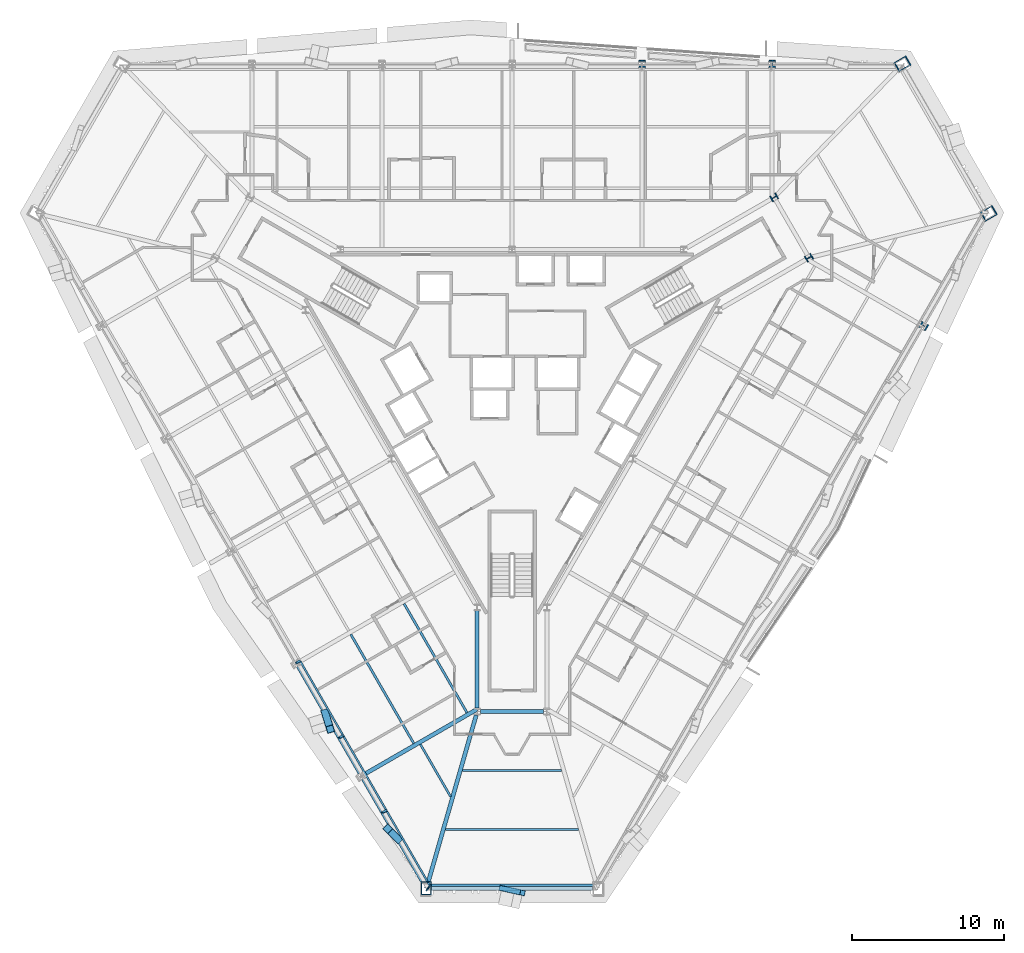
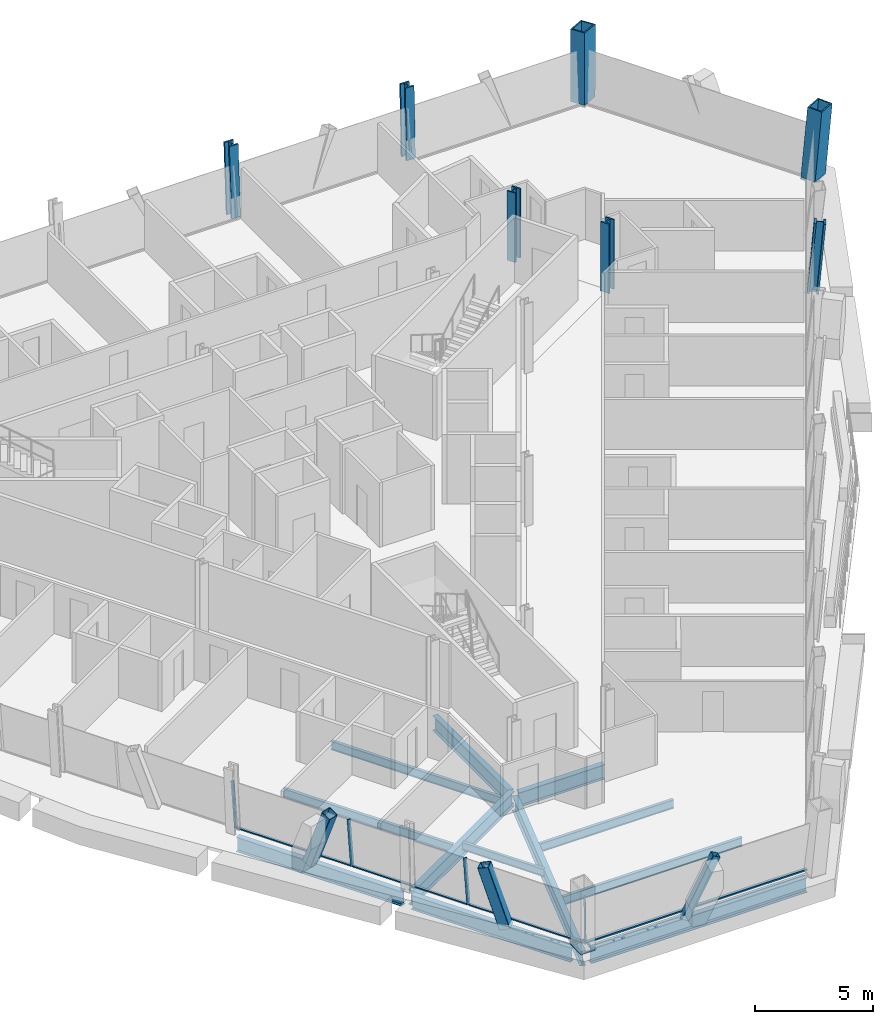
# One storey, part 2 of 15: 12 beams, 12 members, 7 columns, 2 elements without a shape of their own.
"""IFC4 building model written with IfcOpenShell, lengths in metres."""

import ifcopenshell
import ifcopenshell.guid

model = None  # the IFC model being written
_history = None  # IfcOwnerHistory: only IFC2X3 demands one
_inside = {}  # id of a spatial element -> (the spatial element, [elements in it])
_under = {}  # id of a project, library or spatial element -> (it, [spatial elements below it])
_declared = {}  # id of a project -> (the project, [libraries it declares])
_typed = {}  # id of a type object -> (the type object, [elements of that type])
_made_of = {}  # id of a material, layer set ... -> (it, [elements and type objects made of it])


def new_model(schema):
    """Start an empty IFC model of exactly this schema.

    Asked for "IFC4X3", IfcOpenShell would pick the latest addendum, in which some entities
    have other attributes; the version numbers below select the first issue.
    IFC2X3 requires an IfcOwnerHistory on every rooted entity: one is made here for all.
    """
    global model, _history
    if schema == "IFC4X3":
        model = ifcopenshell.file(schema_version=(4, 3, 0, 0))
    else:
        model = ifcopenshell.file(schema=schema)
    _inside.clear()
    _under.clear()
    _declared.clear()
    _typed.clear()
    _made_of.clear()
    _history = None
    if model.schema == "IFC2X3":
        org = make("IfcOrganization", Name="unknown")
        user = make(
            "IfcPersonAndOrganization",
            ThePerson=make("IfcPerson", FamilyName="unknown"),
            TheOrganization=org,
        )
        app = make(
            "IfcApplication",
            ApplicationDeveloper=org,
            Version="unknown",
            ApplicationFullName="unknown",
            ApplicationIdentifier="unknown",
        )
        _history = make(
            "IfcOwnerHistory",
            OwningUser=user,
            OwningApplication=app,
            ChangeAction="ADDED",
            CreationDate=0,
        )
    return model


def make(cls, **values):
    """One entity of the class cls with the attributes given. An attribute that is None is left unset."""
    return model.create_entity(
        cls, **{name: value for name, value in values.items() if value is not None}
    )


def rooted(cls, **values):
    """An entity with a GlobalId (a new one), such as an element, a storey or a relation."""
    return make(cls, GlobalId=ifcopenshell.guid.new(), OwnerHistory=_history, **values)


def si_unit(unit_type, name, prefix=None):
    """IfcSIUnit, for example si_unit("LENGTHUNIT", "METRE", prefix="MILLI")."""
    return make("IfcSIUnit", UnitType=unit_type, Prefix=prefix, Name=name)


def assignment(units):
    """IfcUnitAssignment: the units of a project."""
    return None if units is None else make("IfcUnitAssignment", Units=units)


def point(xyz):
    """IfcCartesianPoint."""
    return None if xyz is None else make("IfcCartesianPoint", Coordinates=xyz)


def direction(xyz):
    """IfcDirection."""
    return None if xyz is None else make("IfcDirection", DirectionRatios=xyz)


def frame(location, z_axis=None, x_axis=None):
    """IfcAxis2Placement3D, a coordinate frame: its origin and axes. An axis left out is left unset."""
    return make(
        "IfcAxis2Placement3D",
        Location=point(location),
        Axis=direction(z_axis),
        RefDirection=direction(x_axis),
    )


def frame_2d(location, x_axis=None):
    """IfcAxis2Placement2D, a coordinate frame in the plane: its origin and x axis."""
    return make(
        "IfcAxis2Placement2D", Location=point(location), RefDirection=direction(x_axis)
    )


def origin():
    """The frame at (0, 0, 0) with its axes left unset."""
    return frame((0.0, 0.0, 0.0))


def origin_2d():
    """The frame at (0, 0) in the plane with its x axis left unset."""
    return frame_2d((0.0, 0.0))


def place(relative_to, where):
    """IfcLocalPlacement: puts the frame where relative to a parent placement (None: the world)."""
    return make(
        "IfcLocalPlacement", PlacementRelTo=relative_to, RelativePlacement=where
    )


def context(
    kind, dimensions, precision=None, world=None, true_north=None, identifier=None
):
    """IfcGeometricRepresentationContext, for example the 3D "Model" context."""
    return make(
        "IfcGeometricRepresentationContext",
        ContextIdentifier=identifier,
        ContextType=kind,
        CoordinateSpaceDimension=dimensions,
        Precision=precision,
        WorldCoordinateSystem=world,
        TrueNorth=true_north,
    )


def subcontext(parent, identifier, kind, view, scale=None):
    """IfcGeometricRepresentationSubContext, for example "Body" below "Model"."""
    return make(
        "IfcGeometricRepresentationSubContext",
        ContextIdentifier=identifier,
        ContextType=kind,
        ParentContext=parent,
        TargetScale=scale,
        TargetView=view,
    )


def project(units=None, contexts=None):
    """IfcProject with its units and contexts."""
    return rooted(
        "IfcProject",
        Name="project",
        RepresentationContexts=contexts,
        UnitsInContext=assignment(units),
    )


def spatial(cls, under=None, at=None, **own):
    """A site, building, storey or space (cls), placed at a placement, below another one or the project."""
    s = rooted(cls, ObjectPlacement=at, **own)
    if under is not None:
        _under.setdefault(under.id(), (under, []))[1].append(s)
    return s


def profile(cls, at=None, kind="AREA", **sizes):
    """A parametric profile (cls). Its sizes go by their IFC names, for example OverallWidth=200.0."""
    return make(cls, ProfileType=kind, Position=at, **sizes)


def rectangle(**sizes):
    """IfcRectangleProfileDef."""
    return profile("IfcRectangleProfileDef", **sizes)


def hollow_rectangle(**sizes):
    """IfcRectangleHollowProfileDef."""
    return profile("IfcRectangleHollowProfileDef", **sizes)


def i_section(**sizes):
    """IfcIShapeProfileDef."""
    return profile("IfcIShapeProfileDef", **sizes)


def extrude(swept, where, along, depth):
    """IfcExtrudedAreaSolid: the profile swept, set in the frame where, extruded along a direction by depth."""
    return make(
        "IfcExtrudedAreaSolid",
        SweptArea=swept,
        Position=where,
        ExtrudedDirection=direction(along),
        Depth=depth,
    )


def shape(context_of_items, identifier, shape_type, items):
    """IfcShapeRepresentation: the items that make up one representation, for example the "Body"."""
    return make(
        "IfcShapeRepresentation",
        ContextOfItems=context_of_items,
        RepresentationIdentifier=identifier,
        RepresentationType=shape_type,
        Items=items,
    )


def material(Name=None, Category=None):
    """IfcMaterial."""
    return make("IfcMaterial", Name=Name, Category=Category)


def material_profile(
    of_material, cross_section, Name=None, Category=None, Priority=None
):
    """IfcMaterialProfile: a cross section and its material."""
    return make(
        "IfcMaterialProfile",
        Name=Name,
        Material=of_material,
        Profile=cross_section,
        Priority=Priority,
        Category=Category,
    )


def profile_set(profiles, Name=None, composite=None):
    """IfcMaterialProfileSet."""
    return make(
        "IfcMaterialProfileSet",
        Name=Name,
        MaterialProfiles=profiles,
        CompositeProfile=composite,
    )


def made_of(thing, what):
    """Note that an element or type object is made of a material, layer set ...; save() writes the relation."""
    if what is not None:
        _made_of.setdefault(what.id(), (what, []))[1].append(thing)
    return thing


def type_object(cls, material=None, **own):
    """A type object (cls), such as IfcWallType, which elements share."""
    return made_of(rooted(cls, **own), material)


def element(
    cls,
    number,
    at=None,
    inside=None,
    cuts=None,
    type_object=None,
    material=None,
    context=None,
    identifier="Body",
    shape_type=None,
    held_by="IfcProductDefinitionShape",
    body=None,
    shapes=None,
    **own,
):
    """One element of the class cls, such as IfcWall. Its Tag is "e" and its number.

    at: its placement. inside: the storey or other place that contains it. cuts: it is an
    opening in that element (IfcRelVoidsElement). A single representation is given by context,
    identifier, shape_type and body (its items); several are given by shapes. held_by: the class
    of the entity that holds the representations. save() writes the other relations.
    """
    e = rooted(cls, Tag="e%d" % number, ObjectPlacement=at, **own)
    if body is not None:
        shapes = [shape(context, identifier, shape_type, body)]
    if shapes is not None:
        e.Representation = make(held_by, Representations=shapes)
    if inside is not None:
        _inside.setdefault(inside.id(), (inside, []))[1].append(e)
    if cuts is not None:
        rooted(
            "IfcRelVoidsElement", RelatingBuildingElement=cuts, RelatedOpeningElement=e
        )
    if type_object is not None:
        _typed.setdefault(type_object.id(), (type_object, []))[1].append(e)
    return made_of(e, material)


def aggregate(whole, parts):
    """IfcRelAggregates: a whole, such as a stair, and the parts it consists of."""
    return rooted("IfcRelAggregates", RelatingObject=whole, RelatedObjects=parts)


def save(model, path):
    """Write the relations noted so far, then the file.

    IfcRelAggregates (storeys below a building ...), IfcRelContainedInSpatialStructure (elements
    in a storey), IfcRelDefinesByType, IfcRelAssociatesMaterial and IfcRelDeclares: one each for
    every whole, place, type object, material and project.
    """
    for whole, parts in _under.values():
        aggregate(whole, parts)
    for where, things in _inside.values():
        rooted(
            "IfcRelContainedInSpatialStructure",
            RelatedElements=things,
            RelatingStructure=where,
        )
    for kind, things in _typed.values():
        rooted("IfcRelDefinesByType", RelatedObjects=things, RelatingType=kind)
    for what, things in _made_of.values():
        rooted("IfcRelAssociatesMaterial", RelatedObjects=things, RelatingMaterial=what)
    for by, libraries in _declared.values():
        rooted("IfcRelDeclares", RelatingContext=by, RelatedDefinitions=libraries)
    model.write(path)


model = new_model("IFC4")

# Units and contexts
model_context = context("Model", 3, precision=1e-05, world=origin(), true_north=direction((0.0, 1.0)))
body_context = subcontext(model_context, "Body", "Model", "MODEL_VIEW")
ifc_project = project(units=[si_unit("LENGTHUNIT", "METRE"), si_unit("AREAUNIT", "SQUARE_METRE"), si_unit("VOLUMEUNIT", "CUBIC_METRE"), si_unit("PLANEANGLEUNIT", "RADIAN"), si_unit("MASSUNIT", "GRAM", prefix="KILO")], contexts=[model_context])

# Site, building, storey
site_placement = place(None, origin())
site = spatial("IfcSite", under=ifc_project, at=site_placement, CompositionType="ELEMENT")
building_placement = place(site_placement, origin())
building = spatial("IfcBuilding", under=site, at=building_placement, Name="Verrane Prism Tower", CompositionType="ELEMENT")
storey_placement = place(building_placement, frame((0.0, 0.0, 72.800048828125)))
storey = spatial("IfcBuildingStorey", under=building, at=storey_placement, Name="L16", CompositionType="ELEMENT", Elevation=72.800048828125)

# Columns
ifc_material_1 = material(Name="Steel A992", Category="steel")
ifc_material_profile_1 = material_profile(ifc_material_1, i_section(OverallWidth=0.419189453125, OverallDepth=0.45458984375, WebThickness=0.042236328125, FlangeThickness=0.067626953125, FilletRadius=0.01513671875, at=origin_2d()), Name="W14x370")
ifc_profile_set_1 = profile_set([ifc_material_profile_1], Name="Steel A992")
column_type_1 = type_object("IfcColumnType", Name="Core corner column W14x370", PredefinedType="COLUMN", material=ifc_profile_set_1)
for number, where, z_axis, x_axis, name in (
    (1, (19.60009765625, 8.659912109375, 0.0), (0.0, 0.0, 1.0), (0.5, -0.866025403784, 0.0), "Core corner column CK-NEm L16"),
    (2, (17.300048828125, 12.639892578125, 0.0), (0.0, 0.0, 1.0), (0.5, -0.866025403784, 0.0), "Core corner column CK-NEp L16"),
):
    element("IfcColumn", number, at=place(storey_placement, frame(where, z_axis=z_axis, x_axis=x_axis)), inside=storey, type_object=column_type_1, Name=name, PredefinedType="COLUMN", context=body_context, shape_type="SweptSolid", body=[
        extrude(i_section(OverallWidth=0.419189453125, OverallDepth=0.45458984375, WebThickness=0.042236328125, FlangeThickness=0.067626953125, FilletRadius=0.01513671875, at=origin_2d()), origin(), (0.0, 0.0, 1.0), 3.599853515625),
    ])
ifc_material_2 = material(Name="Steel A572 Grade 50", Category="steel")
ifc_material_profile_2 = material_profile(ifc_material_2, hollow_rectangle(XDim=0.699951171875, YDim=0.89990234375, WallThickness=0.06494140625, at=origin_2d()), Name="BOX 900x700x65")
ifc_profile_set_2 = profile_set([ifc_material_profile_2], Name="Steel A572 Grade 50")
column_type_2 = type_object("IfcColumnType", Name="Megacolumn BOX 900x700x65", PredefinedType="COLUMN", material=ifc_profile_set_2)
column_1_placement = place(storey_placement, frame((25.721923828125, 21.373291015625, 0.0400390625), z_axis=(0.049772291919, 0.082976830634, 0.995307773774), x_axis=(0.499550777014, -0.86500147592, 0.047132449981)))
element("IfcColumn", 3, at=column_1_placement, inside=storey, type_object=column_type_2, Name="Megacolumn MC-NE.b L16", PredefinedType="COLUMN", context=body_context, shape_type="SweptSolid", body=[
    extrude(hollow_rectangle(XDim=0.699951171875, YDim=0.89990234375, WallThickness=0.06494140625, at=origin_2d()), origin(), (0.0, 0.0, 1.0), 3.53662109375),
])
column_2_placement = place(storey_placement, frame((31.373779296875, 11.590087890625, 0.0400390625), z_axis=(0.094046562862, 0.0, 0.995567799808), x_axis=(0.499442771107, -0.865061250551, -0.047179987117)))
element("IfcColumn", 4, at=column_2_placement, inside=storey, type_object=column_type_2, Name="Megacolumn MC-NE.a L16", PredefinedType="COLUMN", context=body_context, shape_type="SweptSolid", body=[
    extrude(hollow_rectangle(XDim=0.699951171875, YDim=0.89990234375, WallThickness=0.06494140625, at=origin_2d()), origin(), (0.0, 0.0, 1.0), 3.53564453125),
])
ifc_material_3 = material(Name="Steel A992", Category="steel")
ifc_material_profile_3 = material_profile(ifc_material_3, i_section(OverallWidth=0.431884765625, OverallDepth=0.497802734375, WebThickness=0.0556640625, FlangeThickness=0.0888671875, FilletRadius=0.01513671875, at=origin_2d()), Name="W14x500")
ifc_profile_set_3 = profile_set([ifc_material_profile_3], Name="Steel A992")
column_type_3 = type_object("IfcColumnType", Name="Perimeter column W14x500", PredefinedType="COLUMN", material=ifc_profile_set_3)
column_3_placement = place(storey_placement, frame((17.15087890625, 21.3720703125, 0.02490234375), z_axis=(0.030414757347, 0.083024067354, 0.996083303131), x_axis=(0.999533369763, 0.000291044086, -0.030544361571)))
element("IfcColumn", 5, at=column_3_placement, inside=storey, type_object=column_type_3, Name="Perimeter column PC-N1 L16", PredefinedType="COLUMN", context=body_context, shape_type="SweptSolid", body=[
    extrude(i_section(OverallWidth=0.431884765625, OverallDepth=0.497802734375, WebThickness=0.0556640625, FlangeThickness=0.0888671875, FilletRadius=0.01513671875, at=origin_2d()), origin(), (0.0, 0.0, 1.0), 3.56396484375),
])
column_4_placement = place(storey_placement, frame((8.5703125, 21.3720703125, 0.02490234375), z_axis=(0.016651310151, 0.083050979027, 0.996406176593), x_axis=(0.999860944096, -0.000477080894, -0.016669279099)))
element("IfcColumn", 6, at=column_4_placement, inside=storey, type_object=column_type_3, Name="Perimeter column PC-N2 L16", PredefinedType="COLUMN", context=body_context, shape_type="SweptSolid", body=[
    extrude(i_section(OverallWidth=0.431884765625, OverallDepth=0.497802734375, WebThickness=0.0556640625, FlangeThickness=0.0888671875, FilletRadius=0.01513671875, at=origin_2d()), origin(), (0.0, 0.0, 1.0), 3.562744140625),
])
column_5_placement = place(storey_placement, frame((27.082275390625, 4.169677734375, 0.02490234375), z_axis=(0.088495071019, -0.013835916676, 0.995980516785), x_axis=(-0.499820680913, -0.865523193885, 0.032386537004)))
element("IfcColumn", 7, at=column_5_placement, inside=storey, type_object=column_type_3, Name="Perimeter column PC-SE5 L16", PredefinedType="COLUMN", context=body_context, shape_type="SweptSolid", body=[
    extrude(i_section(OverallWidth=0.431884765625, OverallDepth=0.497802734375, WebThickness=0.0556640625, FlangeThickness=0.0888671875, FilletRadius=0.01513671875, at=origin_2d()), origin(), (0.0, 0.0, 1.0), 3.564453125),
])

# Member
ifc_material_4 = material(Name="Steel A500 Grade C", Category="steel")
ifc_material_profile_4 = material_profile(ifc_material_4, hollow_rectangle(XDim=0.355712890625, YDim=0.355712890625, WallThickness=0.0126953125, InnerFilletRadius=0.00634765625, OuterFilletRadius=0.01904296875, at=origin_2d()), Name="HSS14x14x1/2")
ifc_profile_set_4 = profile_set([ifc_material_profile_4], Name="Steel A500 Grade C")
member_type_1 = type_object("IfcMemberType", Name="Chamfer brace HSS14x14x1/2", PredefinedType="BRACE", material=ifc_profile_set_4)
member_1_placement = place(storey_placement, frame((-0.67138671875, -32.9599609375, -0.2451171875), z_axis=(0.412568904942, -0.090560311515, 0.906413663099), x_axis=(0.214399176272, 0.976746125262, 0.0)))
element("IfcMember", 8, at=member_1_placement, inside=storey, type_object=member_type_1, Name="Chamfer brace S0 L16", PredefinedType="BRACE", context=body_context, shape_type="SweptSolid", body=[
    extrude(hollow_rectangle(XDim=0.355712890625, YDim=0.355712890625, WallThickness=0.0126953125, InnerFilletRadius=0.00634765625, OuterFilletRadius=0.01904296875, at=origin_2d()), origin(), (0.0, 0.0, 1.0), 3.313232421875),
])

# Beams
ifc_material_5 = material(Name="Steel A992", Category="steel")
ifc_material_profile_5 = material_profile(ifc_material_5, i_section(OverallWidth=0.2666015625, OverallDepth=0.76708984375, WebThickness=0.014892578125, FlangeThickness=0.023681640625, FilletRadius=0.0166015625, at=origin_2d()), Name="W30x124")
ifc_profile_set_5 = profile_set([ifc_material_profile_5], Name="Steel A992")
beam_type_1 = type_object("IfcBeamType", Name="Chamfer spandrel beam W30x124", PredefinedType="SPANDREL", material=ifc_profile_set_5)
beam_1_placement = place(storey_placement, frame((-5.300048828125, -32.9599609375, -0.54345703125), z_axis=(1.0, 0.0, 0.0), x_axis=(0.0, 1.0, 0.0)))
element("IfcBeam", 9, at=beam_1_placement, inside=storey, type_object=beam_type_1, Name="Chamfer spandrel beam L16", PredefinedType="SPANDREL", context=body_context, shape_type="SweptSolid", body=[
    extrude(i_section(OverallWidth=0.2666015625, OverallDepth=0.76708984375, WebThickness=0.014892578125, FlangeThickness=0.023681640625, FilletRadius=0.0166015625, at=origin_2d()), origin(), (0.0, 0.0, 1.0), 10.60009765625),
])
ifc_material_6 = material(Name="Steel A992", Category="steel")
ifc_material_profile_6 = material_profile(ifc_material_6, i_section(OverallWidth=0.2666015625, OverallDepth=0.7568359375, WebThickness=0.013916015625, FlangeThickness=0.019287109375, FilletRadius=0.0166015625, at=origin_2d()), Name="W30x108")
ifc_profile_set_6 = profile_set([ifc_material_profile_6], Name="Steel A992")
beam_type_2 = type_object("IfcBeamType", Name="Core ring girder W30x108", PredefinedType="BEAM", material=ifc_profile_set_6)
beam_2_placement = place(storey_placement, frame((-2.300048828125, -14.62841796875, -0.628662109375), z_axis=(0.0, -1.0, 0.0), x_axis=(1.0, 0.0, 0.0)))
element("IfcBeam", 10, at=beam_2_placement, inside=storey, type_object=beam_type_2, Name="Core ring girder L16", PredefinedType="BEAM", context=body_context, shape_type="SweptSolid", body=[
    extrude(i_section(OverallWidth=0.2666015625, OverallDepth=0.7568359375, WebThickness=0.013916015625, FlangeThickness=0.019287109375, FilletRadius=0.0166015625, at=origin_2d()), origin(), (0.0, 0.0, 1.0), 6.4443359375),
])
beam_3_placement = place(storey_placement, frame((-2.09033203125, -21.300048828125, -0.628662109375), z_axis=(1.0, 0.0, 0.0), x_axis=(0.0, 1.0, 0.0)))
element("IfcBeam", 11, at=beam_3_placement, inside=storey, type_object=beam_type_2, Name="Core ring girder L16", PredefinedType="BEAM", context=body_context, shape_type="SweptSolid", body=[
    extrude(i_section(OverallWidth=0.2666015625, OverallDepth=0.7568359375, WebThickness=0.013916015625, FlangeThickness=0.019287109375, FilletRadius=0.0166015625, at=origin_2d()), origin(), (0.0, 0.0, 1.0), 4.1806640625),
])
ifc_material_7 = material(Name="Steel A992", Category="steel")
ifc_material_profile_7 = material_profile(ifc_material_7, i_section(OverallWidth=0.2666015625, OverallDepth=0.76708984375, WebThickness=0.014892578125, FlangeThickness=0.023681640625, FilletRadius=0.0166015625, at=origin_2d()), Name="W30x124")
ifc_profile_set_7 = profile_set([ifc_material_profile_7], Name="Steel A992")
beam_type_3 = type_object("IfcBeamType", Name="Corner girder W30x124", PredefinedType="BEAM", material=ifc_profile_set_7)
beam_4_placement = place(storey_placement, frame((-5.64892578125, -32.95654296875, -0.603515625), z_axis=(0.276136278025, 0.961118492153, 0.0), x_axis=(-0.961118492153, 0.276136278025, 0.0)))
element("IfcBeam", 12, at=beam_4_placement, inside=storey, type_object=beam_type_3, Name="Corner girder L16", PredefinedType="BEAM", context=body_context, shape_type="SweptSolid", body=[
    extrude(i_section(OverallWidth=0.2666015625, OverallDepth=0.76708984375, WebThickness=0.014892578125, FlangeThickness=0.023681640625, FilletRadius=0.0166015625, at=origin_2d()), origin(), (0.0, 0.0, 1.0), 11.8916015625),
])

# Members
ifc_material_8 = material(Name="Steel A1085 Grade A", Category="steel")
ifc_material_profile_8 = material_profile(ifc_material_8, hollow_rectangle(XDim=0.508056640625, YDim=0.508056640625, WallThickness=0.025390625, InnerFilletRadius=0.0126953125, OuterFilletRadius=0.0380859375, at=origin_2d()), Name="HSS20x20x1")
ifc_profile_set_8 = profile_set([ifc_material_profile_8], Name="Steel A1085 Grade A")
member_type_2 = type_object("IfcMemberType", Name="Facade brace HSS20x20x1", PredefinedType="BRACE", material=ifc_profile_set_8)
member_2_placement = place(storey_placement, frame((-12.327880859375, -21.386962890625, -0.24267578125), z_axis=(0.102572328527, -0.332218684237, 0.937608480798), x_axis=(0.955494651133, 0.295008426415, 0.0)))
element("IfcMember", 13, at=member_2_placement, inside=storey, type_object=member_type_2, Name="Facade brace SW4 L16", PredefinedType="BRACE", context=body_context, shape_type="SweptSolid", body=[
    extrude(hollow_rectangle(XDim=0.508056640625, YDim=0.508056640625, WallThickness=0.025390625, InnerFilletRadius=0.0126953125, OuterFilletRadius=0.0380859375, at=origin_2d()), origin(), (0.0, 0.0, 1.0), 3.20849609375),
])
member_3_placement = place(storey_placement, frame((-7.52978515625, -29.701171875, -0.24267578125), z_axis=(-0.21415077921, 0.214460133893, 0.952967100552), x_axis=(-0.70761695904, -0.706596234974, 0.0)))
element("IfcMember", 14, at=member_3_placement, inside=storey, type_object=member_type_2, Name="Facade brace SW5 L16", PredefinedType="BRACE", context=body_context, shape_type="SweptSolid", body=[
    extrude(hollow_rectangle(XDim=0.508056640625, YDim=0.508056640625, WallThickness=0.025390625, InnerFilletRadius=0.0126953125, OuterFilletRadius=0.0380859375, at=origin_2d()), origin(), (0.0, 0.0, 1.0), 3.15673828125),
])

# Beams
ifc_material_9 = material(Name="Steel A992", Category="steel")
ifc_material_profile_9 = material_profile(ifc_material_9, i_section(OverallWidth=0.140380859375, OverallDepth=0.40380859375, WebThickness=0.007080078125, FlangeThickness=0.01123046875, FilletRadius=0.01025390625, at=origin_2d()), Name="W16x31")
ifc_profile_set_9 = profile_set([ifc_material_profile_9], Name="Steel A992")
beam_type_4 = type_object("IfcBeamType", Name="Floor beam W16x31", PredefinedType="BEAM", material=ifc_profile_set_9)
beam_5_placement = place(storey_placement, frame((-4.051513671875, -26.91259765625, -0.362060546875), z_axis=(-0.499995658264, 0.866027910472, 0.0), x_axis=(-0.866027910472, -0.499995658264, 0.0)))
element("IfcBeam", 15, at=beam_5_placement, inside=storey, type_object=beam_type_4, Name="Floor beam L16", PredefinedType="BEAM", context=body_context, shape_type="SweptSolid", body=[
    extrude(i_section(OverallWidth=0.140380859375, OverallDepth=0.40380859375, WebThickness=0.007080078125, FlangeThickness=0.01123046875, FilletRadius=0.01025390625, at=origin_2d()), origin(), (0.0, 0.0, 1.0), 3.99658203125),
])
ifc_material_10 = material(Name="Steel A992", Category="steel")
ifc_material_profile_10 = material_profile(ifc_material_10, i_section(OverallWidth=0.15234375, OverallDepth=0.449462890625, WebThickness=0.007568359375, FlangeThickness=0.0107421875, FilletRadius=0.01025390625, at=origin_2d()), Name="W18x35")
ifc_profile_set_10 = profile_set([ifc_material_profile_10], Name="Steel A992")
beam_type_5 = type_object("IfcBeamType", Name="Floor beam W18x35", PredefinedType="BEAM", material=ifc_profile_set_10)
beam_6_placement = place(storey_placement, frame((-2.9736328125, -21.365234375, -0.384765625), z_axis=(-0.499989616998, 0.866031398331, 0.0), x_axis=(-0.866031398331, -0.499989616998, 0.0)))
element("IfcBeam", 16, at=beam_6_placement, inside=storey, type_object=beam_type_5, Name="Floor beam L16", PredefinedType="BEAM", context=body_context, shape_type="SweptSolid", body=[
    extrude(i_section(OverallWidth=0.15234375, OverallDepth=0.449462890625, WebThickness=0.007568359375, FlangeThickness=0.0107421875, FilletRadius=0.01025390625, at=origin_2d()), origin(), (0.0, 0.0, 1.0), 8.305908203125),
])
beam_7_placement = place(storey_placement, frame((-6.4853515625, -23.394775390625, -0.384765625), z_axis=(-0.50000392623, 0.866023136963, 0.0), x_axis=(-0.866023136963, -0.50000392623, 0.0)))
element("IfcBeam", 17, at=beam_7_placement, inside=storey, type_object=beam_type_5, Name="Floor beam L16", PredefinedType="BEAM", context=body_context, shape_type="SweptSolid", body=[
    extrude(i_section(OverallWidth=0.15234375, OverallDepth=0.449462890625, WebThickness=0.007568359375, FlangeThickness=0.0107421875, FilletRadius=0.01025390625, at=origin_2d()), origin(), (0.0, 0.0, 1.0), 8.30908203125),
])
beam_8_placement = place(storey_placement, frame((-4.394287109375, -29.0732421875, -0.384765625), z_axis=(1.0, 0.0, 0.0), x_axis=(0.0, 1.0, 0.0)))
element("IfcBeam", 18, at=beam_8_placement, inside=storey, type_object=beam_type_5, Name="Floor beam L16", PredefinedType="BEAM", context=body_context, shape_type="SweptSolid", body=[
    extrude(i_section(OverallWidth=0.15234375, OverallDepth=0.449462890625, WebThickness=0.007568359375, FlangeThickness=0.0107421875, FilletRadius=0.01025390625, at=origin_2d()), origin(), (0.0, 0.0, 1.0), 8.78857421875),
])
beam_9_placement = place(storey_placement, frame((-3.27783203125, -25.186767578125, -0.384765625), z_axis=(1.0, 0.0, 0.0), x_axis=(0.0, 1.0, 0.0)))
element("IfcBeam", 19, at=beam_9_placement, inside=storey, type_object=beam_type_5, Name="Floor beam L16", PredefinedType="BEAM", context=body_context, shape_type="SweptSolid", body=[
    extrude(i_section(OverallWidth=0.15234375, OverallDepth=0.449462890625, WebThickness=0.007568359375, FlangeThickness=0.0107421875, FilletRadius=0.01025390625, at=origin_2d()), origin(), (0.0, 0.0, 1.0), 6.5556640625),
])

# Member
ifc_material_11 = material(Name="Steel A572 Grade 50", Category="steel")
ifc_material_profile_11 = material_profile(ifc_material_11, hollow_rectangle(XDim=0.699951171875, YDim=0.89990234375, WallThickness=0.06494140625, at=origin_2d()), Name="BOX 900x700x65")
ifc_profile_set_11 = profile_set([ifc_material_profile_11], Name="Steel A572 Grade 50")
member_type_3 = type_object("IfcMemberType", Name="Kink node BOX 900x700x65", PredefinedType="COLLAR", material=ifc_profile_set_11)
member_4_placement = place(storey_placement, frame((-5.65087890625, -32.961669921875, -0.0400390625), z_axis=(0.0, 0.0, 1.0), x_axis=(-1.0, 0.0, 0.0)))
element("IfcMember", 20, at=member_4_placement, inside=storey, type_object=member_type_3, Name="Kink node MC3 L16", PredefinedType="COLLAR", context=body_context, shape_type="SweptSolid", body=[
    extrude(hollow_rectangle(XDim=0.699951171875, YDim=0.89990234375, WallThickness=0.06494140625, at=origin_2d()), origin(), (0.0, 0.0, 1.0), 0.080078125),
])

# Curtain wall, members
ifc_material_12 = material(Name="Aluminium framed insulated glazing", Category="aluminium")
curtain_wall_type_1 = type_object("IfcCurtainWallType", Name="Curtain wall CW-B 5600 module", PredefinedType="NOTDEFINED", material=ifc_material_12)
curtain_wall_1_placement = place(storey_placement, origin())
curtain_wall_1 = element("IfcCurtainWall", 21, at=curtain_wall_1_placement, inside=storey, type_object=curtain_wall_type_1, Name="Glazed curtain wall south-west face L16", PredefinedType="NOTDEFINED")
ifc_material_13 = material(Name="Aluminium alloy 6063-T6", Category="aluminium")
ifc_material_profile_12 = material_profile(ifc_material_13, rectangle(XDim=0.159912109375, YDim=0.06005859375, at=origin_2d()), Name="Mullion 60x160 aluminium")
ifc_profile_set_12 = profile_set([ifc_material_profile_12], Name="Aluminium alloy 6063-T6")
member_type_4 = type_object("IfcMemberType", Name="Mullion 60x160 aluminium", PredefinedType="MULLION", material=ifc_profile_set_12)
member_5_placement = place(storey_placement, frame((-13.990478515625, -17.94970703125, 0.0), z_axis=(-0.098772084644, -0.056998176665, 0.993476362654), x_axis=(0.863094352371, -0.501813667585, 0.057019136519)))
member_5 = element("IfcMember", 22, at=member_5_placement, type_object=member_type_4, Name="CW14.4 mullion 7", PredefinedType="MULLION", context=body_context, shape_type="SweptSolid", body=[
    extrude(rectangle(XDim=0.159912109375, YDim=0.06005859375, at=origin_2d()), origin(), (0.0, 0.0, 1.0), 2.6298828125),
])
member_6_placement = place(storey_placement, frame((-11.140625, -22.8857421875, 0.0), z_axis=(-0.098772084644, -0.056998176665, 0.993476362654), x_axis=(0.863094352371, -0.501813667585, 0.057019136519)))
member_6 = element("IfcMember", 23, at=member_6_placement, type_object=member_type_4, Name="CW14.4 mullion 8", PredefinedType="MULLION", context=body_context, shape_type="SweptSolid", body=[
    extrude(rectangle(XDim=0.159912109375, YDim=0.06005859375, at=origin_2d()), origin(), (0.0, 0.0, 1.0), 2.6298828125),
])
member_7_placement = place(storey_placement, frame((-8.290771484375, -27.82177734375, 0.0), z_axis=(-0.098771561601, -0.057090705249, 0.99347110174), x_axis=(0.863445525252, -0.501206573881, 0.057042047835)))
member_7 = element("IfcMember", 24, at=member_7_placement, type_object=member_type_4, Name="CW14.4 mullion 9", PredefinedType="MULLION", context=body_context, shape_type="SweptSolid", body=[
    extrude(rectangle(XDim=0.159912109375, YDim=0.06005859375, at=origin_2d()), origin(), (0.0, 0.0, 1.0), 2.6298828125),
])

# Curtain wall, member
ifc_material_14 = material(Name="Aluminium framed insulated glazing", Category="aluminium")
curtain_wall_type_2 = type_object("IfcCurtainWallType", Name="Curtain wall CW-A 8400 module", PredefinedType="NOTDEFINED", material=ifc_material_14)
curtain_wall_2_placement = place(storey_placement, origin())
curtain_wall_2 = element("IfcCurtainWall", 25, at=curtain_wall_2_placement, inside=storey, type_object=curtain_wall_type_2, Name="Glazed curtain wall south corner L16", PredefinedType="NOTDEFINED")
ifc_material_15 = material(Name="Aluminium alloy 6063-T6", Category="aluminium")
ifc_material_profile_13 = material_profile(ifc_material_15, rectangle(XDim=0.199951171875, YDim=0.070068359375, at=origin_2d()), Name="Mullion 70x200 aluminium")
ifc_profile_set_13 = profile_set([ifc_material_profile_13], Name="Aluminium alloy 6063-T6")
member_type_5 = type_object("IfcMemberType", Name="Mullion 70x200 aluminium", PredefinedType="MULLION", material=ifc_profile_set_13)
member_8_placement = place(storey_placement, frame((-5.406005859375, -32.758056640625, 0.0), z_axis=(-0.078844420306, -0.113824691286, 0.990367354591), x_axis=(0.563933473661, 0.814129310567, 0.138464807658)))
member_8 = element("IfcMember", 26, at=member_8_placement, type_object=member_type_5, Name="CW14.5 mullion 1", PredefinedType="MULLION", context=body_context, shape_type="SweptSolid", body=[
    extrude(rectangle(XDim=0.199951171875, YDim=0.070068359375, at=origin_2d()), origin(), (0.0, 0.0, 1.0), 2.63818359375),
])

# Beams
ifc_material_16 = material(Name="Steel A992", Category="steel")
ifc_material_profile_14 = material_profile(ifc_material_16, i_section(OverallWidth=0.2666015625, OverallDepth=0.76708984375, WebThickness=0.014892578125, FlangeThickness=0.023681640625, FilletRadius=0.0166015625, at=origin_2d()), Name="W30x124")
ifc_profile_set_14 = profile_set([ifc_material_profile_14], Name="Steel A992")
beam_type_6 = type_object("IfcBeamType", Name="Radial girder W30x124", PredefinedType="BEAM", material=ifc_profile_set_14)
beam_10_placement = place(storey_placement, frame((-9.71435546875, -25.41552734375, -0.603515625), z_axis=(0.866019851127, 0.500009617362, 0.0), x_axis=(-0.500009617362, 0.866019851127, 0.0)))
element("IfcBeam", 27, at=beam_10_placement, inside=storey, type_object=beam_type_6, Name="Radial girder L16", PredefinedType="BEAM", context=body_context, shape_type="SweptSolid", body=[
    extrude(i_section(OverallWidth=0.2666015625, OverallDepth=0.76708984375, WebThickness=0.014892578125, FlangeThickness=0.023681640625, FilletRadius=0.0166015625, at=origin_2d()), origin(), (0.0, 0.0, 1.0), 8.561279296875),
])
ifc_material_17 = material(Name="Steel A992", Category="steel")
ifc_material_profile_15 = material_profile(ifc_material_17, i_section(OverallWidth=0.2666015625, OverallDepth=0.7568359375, WebThickness=0.013916015625, FlangeThickness=0.019287109375, FilletRadius=0.0166015625, at=origin_2d()), Name="W30x108")
ifc_profile_set_15 = profile_set([ifc_material_profile_15], Name="Steel A992")
beam_type_7 = type_object("IfcBeamType", Name="Spandrel beam W30x108", PredefinedType="SPANDREL", material=ifc_profile_set_15)
beam_11_placement = place(storey_placement, frame((-14.112060546875, -18.297119140625, -0.53857421875), z_axis=(0.500022470507, -0.866012430043, 0.0), x_axis=(0.866012430043, 0.500022470507, 0.0)))
element("IfcBeam", 28, at=beam_11_placement, inside=storey, type_object=beam_type_7, Name="Spandrel beam L16", PredefinedType="SPANDREL", context=body_context, shape_type="SweptSolid", body=[
    extrude(i_section(OverallWidth=0.2666015625, OverallDepth=0.7568359375, WebThickness=0.013916015625, FlangeThickness=0.019287109375, FilletRadius=0.0166015625, at=origin_2d()), origin(), (0.0, 0.0, 1.0), 8.147705078125),
])
beam_12_placement = place(storey_placement, frame((-9.822021484375, -25.72705078125, -0.53857421875), z_axis=(0.499636978106, -0.866234893149, 0.0), x_axis=(0.866234893149, 0.499636978106, 0.0)))
element("IfcBeam", 29, at=beam_12_placement, inside=storey, type_object=beam_type_7, Name="Spandrel beam L16", PredefinedType="SPANDREL", context=body_context, shape_type="SweptSolid", body=[
    extrude(i_section(OverallWidth=0.2666015625, OverallDepth=0.7568359375, WebThickness=0.013916015625, FlangeThickness=0.019287109375, FilletRadius=0.0166015625, at=origin_2d()), origin(), (0.0, 0.0, 1.0), 7.830322265625),
])

# Member
ifc_material_18 = material(Name="Aluminium alloy 6063-T6", Category="aluminium")
ifc_material_profile_16 = material_profile(ifc_material_18, rectangle(XDim=0.1201171875, YDim=0.06005859375, at=origin_2d()), Name="Transom 60x120 aluminium")
ifc_profile_set_16 = profile_set([ifc_material_profile_16], Name="Aluminium alloy 6063-T6")
member_type_6 = type_object("IfcMemberType", Name="Transom 60x120 aluminium", PredefinedType="USERDEFINED", material=ifc_profile_set_16)
member_9_placement = place(storey_placement, frame((-13.9755859375, -17.9755859375, 0.030029296875), z_axis=(0.500017223503, -0.866015459562, 0.0), x_axis=(0.866015459562, 0.500017223503, 0.0)))
member_9 = element("IfcMember", 30, at=member_9_placement, type_object=member_type_6, Name="CW14.4 transom 7", ObjectType="TRANSOM", PredefinedType="USERDEFINED", context=body_context, shape_type="SweptSolid", body=[
    extrude(rectangle(XDim=0.1201171875, YDim=0.06005859375, at=origin_2d()), origin(), (0.0, 0.0, 1.0), 5.639892578125),
])

member_10_placement = place(storey_placement, frame((-11.125732421875, -22.911865234375, 0.030029296875), z_axis=(0.50003596868, -0.866004636261, 0.0), x_axis=(0.866004636261, 0.50003596868, 0.0)))
member_10 = element("IfcMember", 31, at=member_10_placement, type_object=member_type_6, Name="CW14.4 transom 8", ObjectType="TRANSOM", PredefinedType="USERDEFINED", context=body_context, shape_type="SweptSolid", body=[
    extrude(rectangle(XDim=0.1201171875, YDim=0.06005859375, at=origin_2d()), origin(), (0.0, 0.0, 1.0), 5.6396484375),
])

member_11_placement = place(storey_placement, frame((-8.27587890625, -27.847900390625, 0.030029296875), z_axis=(0.500010702031, -0.866019224876, 0.0), x_axis=(0.866019224876, 0.500010702031, 0.0)))
member_11 = element("IfcMember", 32, at=member_11_placement, type_object=member_type_6, Name="CW14.4 transom 9", ObjectType="TRANSOM", PredefinedType="USERDEFINED", context=body_context, shape_type="SweptSolid", body=[
    extrude(rectangle(XDim=0.1201171875, YDim=0.06005859375, at=origin_2d()), origin(), (0.0, 0.0, 1.0), 5.669921875),
])

aggregate(curtain_wall_1, [member_5, member_6, member_7, member_9, member_10, member_11])

ifc_material_19 = material(Name="Aluminium alloy 6063-T6", Category="aluminium")
ifc_material_profile_17 = material_profile(ifc_material_19, rectangle(XDim=0.14990234375, YDim=0.070068359375, at=origin_2d()), Name="Transom 70x150 aluminium")
ifc_profile_set_17 = profile_set([ifc_material_profile_17], Name="Aluminium alloy 6063-T6")
member_type_7 = type_object("IfcMemberType", Name="Transom 70x150 aluminium", PredefinedType="USERDEFINED", material=ifc_profile_set_17)
member_12_placement = place(storey_placement, frame((-5.370849609375, -32.758056640625, 0.034912109375), z_axis=(1.0, 0.0, 0.0), x_axis=(0.0, 1.0, 0.0)))
member_12 = element("IfcMember", 33, at=member_12_placement, type_object=member_type_7, Name="CW14.5 transom 1", ObjectType="TRANSOM", PredefinedType="USERDEFINED", context=body_context, shape_type="SweptSolid", body=[
    extrude(rectangle(XDim=0.14990234375, YDim=0.070068359375, at=origin_2d()), origin(), (0.0, 0.0, 1.0), 10.811767578125),
])

aggregate(curtain_wall_2, [member_8, member_12])

save(model, "model.ifc")
